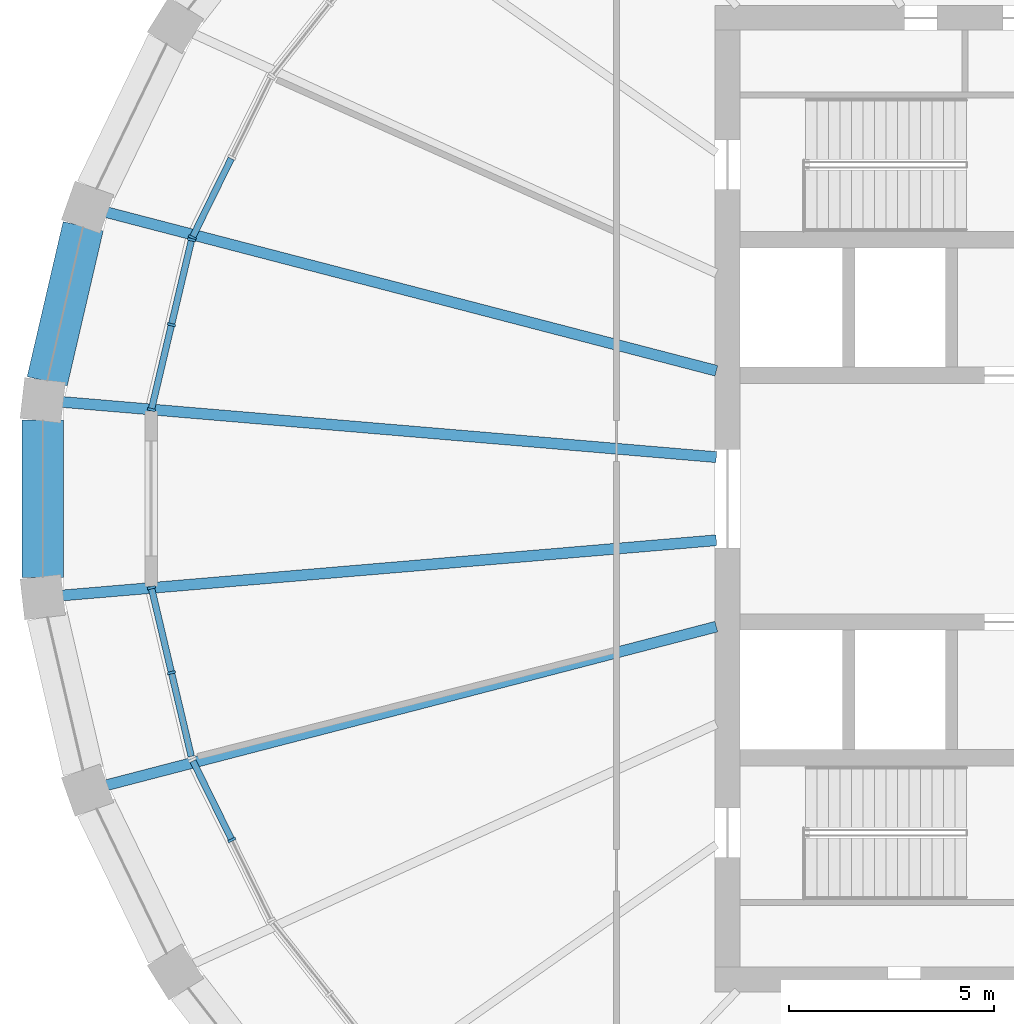
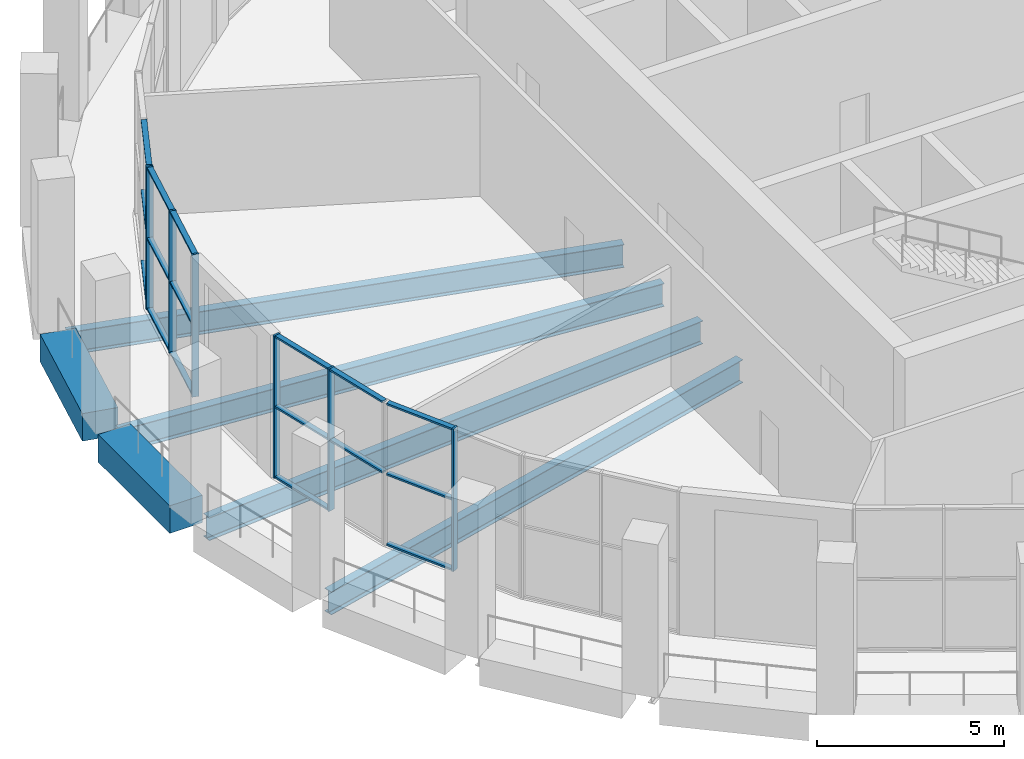
# One storey, part 3 of 15: 24 members, 6 beams, 4 elements without a shape of their own.
"""IFC4 building model written with IfcOpenShell, lengths in metres."""

from ifc_helpers import new_model, si_unit, direction, frame, origin, origin_2d, place, context, subcontext, project, spatial, rectangle, i_section, extrude, material, material_profile, profile_set, type_object, element, aggregate, save


model = new_model("IFC4")

# Units and contexts
model_context = context("Model", 3, precision=1e-05, world=origin(), true_north=direction((0.0, 1.0)))
body_context = subcontext(model_context, "Body", "Model", "MODEL_VIEW")
ifc_project = project(units=[si_unit("LENGTHUNIT", "METRE"), si_unit("AREAUNIT", "SQUARE_METRE"), si_unit("VOLUMEUNIT", "CUBIC_METRE"), si_unit("PLANEANGLEUNIT", "RADIAN"), si_unit("MASSUNIT", "GRAM", prefix="KILO")], contexts=[model_context])

# Site, building, storey
site_placement = place(None, origin())
site = spatial("IfcSite", under=ifc_project, at=site_placement, CompositionType="ELEMENT")
building_placement = place(site_placement, origin())
building = spatial("IfcBuilding", under=site, at=building_placement, Name="Halqa Exchange Tower", CompositionType="ELEMENT")
storey_placement = place(building_placement, frame((0.0, 0.0, 338.300048828125)))
storey = spatial("IfcBuildingStorey", under=building, at=storey_placement, Name="L79", CompositionType="ELEMENT", Elevation=338.300048828125)

# Curtain wall, member
ifc_material_1 = material(Name="Anodised aluminium and clear glass", Category="aluminium")
curtain_wall_type = type_object("IfcCurtainWallType", Name="Executive floor glazing", PredefinedType="NOTDEFINED", material=ifc_material_1)
curtain_wall_1_placement = place(storey_placement, origin())
curtain_wall_1 = element("IfcCurtainWall", 1, at=curtain_wall_1_placement, inside=storey, type_object=curtain_wall_type, Name="Executive floor glazing run G14", PredefinedType="NOTDEFINED")
ifc_material_2 = material(Name="Anodised aluminium", Category="aluminium")
ifc_material_profile_1 = material_profile(ifc_material_2, rectangle(XDim=0.199951171875, YDim=0.06005859375, at=origin_2d()), Name="AL 60x200")
ifc_profile_set_1 = profile_set([ifc_material_profile_1], Name="Anodised aluminium")
member_type_1 = type_object("IfcMemberType", Name="Executive floor glazing mullion 60 x 200", PredefinedType="MULLION", material=ifc_profile_set_1)
member_1_placement = place(storey_placement, frame((-24.72216796875, 6.3564453125, 0.0), z_axis=(0.0, 0.0, 1.0), x_axis=(0.897214741349, -0.441594506199, 0.0)))
member_1 = element("IfcMember", 2, at=member_1_placement, type_object=member_type_1, Name="G14 mullion 3", PredefinedType="MULLION", context=body_context, shape_type="SweptSolid", body=[
    extrude(rectangle(XDim=0.199951171875, YDim=0.06005859375, at=origin_2d()), origin(), (0.0, 0.0, 1.0), 4.64990234375),
])

# Curtain wall, members
curtain_wall_2_placement = place(storey_placement, origin())
curtain_wall_2 = element("IfcCurtainWall", 3, at=curtain_wall_2_placement, inside=storey, type_object=curtain_wall_type, Name="Executive floor glazing run G15", PredefinedType="NOTDEFINED")
member_2_placement = place(storey_placement, frame((-24.742431640625, 6.30029296875, 0.0), z_axis=(0.0, 0.0, 1.0), x_axis=(0.97319169906, -0.229995471437, 0.0)))
member_2 = element("IfcMember", 4, at=member_2_placement, type_object=member_type_1, Name="G15 mullion 1", PredefinedType="MULLION", context=body_context, shape_type="SweptSolid", body=[
    extrude(rectangle(XDim=0.199951171875, YDim=0.06005859375, at=origin_2d()), origin(), (0.0, 0.0, 1.0), 4.64990234375),
])
member_3_placement = place(storey_placement, frame((-25.23095703125, 4.2333984375, 0.0), z_axis=(0.0, 0.0, 1.0), x_axis=(0.97319169906, -0.229995471437, 0.0)))
member_3 = element("IfcMember", 5, at=member_3_placement, type_object=member_type_1, Name="G15 mullion 2", PredefinedType="MULLION", context=body_context, shape_type="SweptSolid", body=[
    extrude(rectangle(XDim=0.199951171875, YDim=0.06005859375, at=origin_2d()), origin(), (0.0, 0.0, 1.0), 4.64990234375),
])
member_4_placement = place(storey_placement, frame((-25.71923828125, 2.166748046875, 0.0), z_axis=(0.0, 0.0, 1.0), x_axis=(0.97319169906, -0.229995471437, 0.0)))
member_4 = element("IfcMember", 6, at=member_4_placement, type_object=member_type_1, Name="G15 mullion 3", PredefinedType="MULLION", context=body_context, shape_type="SweptSolid", body=[
    extrude(rectangle(XDim=0.199951171875, YDim=0.06005859375, at=origin_2d()), origin(), (0.0, 0.0, 1.0), 4.64990234375),
])

curtain_wall_3_placement = place(storey_placement, origin())
curtain_wall_3 = element("IfcCurtainWall", 7, at=curtain_wall_3_placement, inside=storey, type_object=curtain_wall_type, Name="Executive floor glazing run G17", PredefinedType="NOTDEFINED")
member_5_placement = place(storey_placement, frame((-25.71923828125, -2.166748046875, 0.0), z_axis=(0.0, 0.0, 1.0), x_axis=(0.97319169906, 0.229995471437, 0.0)))
member_5 = element("IfcMember", 8, at=member_5_placement, type_object=member_type_1, Name="G17 mullion 1", PredefinedType="MULLION", context=body_context, shape_type="SweptSolid", body=[
    extrude(rectangle(XDim=0.199951171875, YDim=0.06005859375, at=origin_2d()), origin(), (0.0, 0.0, 1.0), 4.64990234375),
])
member_6_placement = place(storey_placement, frame((-25.23095703125, -4.2333984375, 0.0), z_axis=(0.0, 0.0, 1.0), x_axis=(0.97319169906, 0.229995471437, 0.0)))
member_6 = element("IfcMember", 9, at=member_6_placement, type_object=member_type_1, Name="G17 mullion 2", PredefinedType="MULLION", context=body_context, shape_type="SweptSolid", body=[
    extrude(rectangle(XDim=0.199951171875, YDim=0.06005859375, at=origin_2d()), origin(), (0.0, 0.0, 1.0), 4.64990234375),
])

# Curtain wall, member
curtain_wall_4_placement = place(storey_placement, origin())
curtain_wall_4 = element("IfcCurtainWall", 10, at=curtain_wall_4_placement, inside=storey, type_object=curtain_wall_type, Name="Executive floor glazing run G18", PredefinedType="NOTDEFINED")
member_7_placement = place(storey_placement, frame((-23.76416015625, -8.302978515625, 0.0), z_axis=(0.0, 0.0, 1.0), x_axis=(0.897214741349, 0.441594506199, 0.0)))
member_7 = element("IfcMember", 11, at=member_7_placement, type_object=member_type_1, Name="G18 mullion 2", PredefinedType="MULLION", context=body_context, shape_type="SweptSolid", body=[
    extrude(rectangle(XDim=0.199951171875, YDim=0.06005859375, at=origin_2d()), origin(), (0.0, 0.0, 1.0), 4.64990234375),
])

# Member
ifc_material_profile_2 = material_profile(ifc_material_2, rectangle(XDim=0.159912109375, YDim=0.06005859375, at=origin_2d()), Name="AL 60x160")
ifc_profile_set_2 = profile_set([ifc_material_profile_2], Name="Anodised aluminium")
member_type_2 = type_object("IfcMemberType", Name="Executive floor glazing transom 60 x 160", PredefinedType="USERDEFINED", material=ifc_profile_set_2)
member_8_placement = place(storey_placement, frame((-23.77734375, 8.276123046875, 0.030029296875), z_axis=(-0.441603772589, -0.897210180524, 0.0), x_axis=(0.897210180524, -0.441603772589, 0.0)))
member_8 = element("IfcMember", 12, at=member_8_placement, type_object=member_type_2, Name="G14 transom 2.1", ObjectType="TRANSOM", PredefinedType="USERDEFINED", context=body_context, shape_type="SweptSolid", body=[
    extrude(rectangle(XDim=0.159912109375, YDim=0.06005859375, at=origin_2d()), origin(), (0.0, 0.0, 1.0), 2.109619140625),
])

member_9_placement = place(storey_placement, frame((-23.77734375, 8.276123046875, 2.324951171875), z_axis=(-0.441603772589, -0.897210180524, 0.0), x_axis=(0.897210180524, -0.441603772589, 0.0)))
member_9 = element("IfcMember", 13, at=member_9_placement, type_object=member_type_2, Name="G14 transom 2.2", ObjectType="TRANSOM", PredefinedType="USERDEFINED", context=body_context, shape_type="SweptSolid", body=[
    extrude(rectangle(XDim=0.159912109375, YDim=0.06005859375, at=origin_2d()), origin(), (0.0, 0.0, 1.0), 2.109619140625),
])

member_10_placement = place(storey_placement, frame((-23.77734375, 8.276123046875, 4.619873046875), z_axis=(-0.441603772589, -0.897210180524, 0.0), x_axis=(0.897210180524, -0.441603772589, 0.0)))
member_10 = element("IfcMember", 14, at=member_10_placement, type_object=member_type_2, Name="G14 transom 2.3", ObjectType="TRANSOM", PredefinedType="USERDEFINED", context=body_context, shape_type="SweptSolid", body=[
    extrude(rectangle(XDim=0.159912109375, YDim=0.06005859375, at=origin_2d()), origin(), (0.0, 0.0, 1.0), 2.109619140625),
])

aggregate(curtain_wall_1, [member_1, member_8, member_9, member_10])

member_11_placement = place(storey_placement, frame((-24.749267578125, 6.27099609375, 0.030029296875), z_axis=(-0.229988783785, -0.973193279535, 0.0), x_axis=(0.973193279535, -0.229988783785, 0.0)))
member_11 = element("IfcMember", 15, at=member_11_placement, type_object=member_type_2, Name="G15 transom 1.1", ObjectType="TRANSOM", PredefinedType="USERDEFINED", context=body_context, shape_type="SweptSolid", body=[
    extrude(rectangle(XDim=0.159912109375, YDim=0.06005859375, at=origin_2d()), origin(), (0.0, 0.0, 1.0), 2.063720703125),
])

member_12_placement = place(storey_placement, frame((-24.749267578125, 6.27099609375, 2.324951171875), z_axis=(-0.229988783785, -0.973193279535, 0.0), x_axis=(0.973193279535, -0.229988783785, 0.0)))
member_12 = element("IfcMember", 16, at=member_12_placement, type_object=member_type_2, Name="G15 transom 1.2", ObjectType="TRANSOM", PredefinedType="USERDEFINED", context=body_context, shape_type="SweptSolid", body=[
    extrude(rectangle(XDim=0.159912109375, YDim=0.06005859375, at=origin_2d()), origin(), (0.0, 0.0, 1.0), 2.063720703125),
])

member_13_placement = place(storey_placement, frame((-24.749267578125, 6.27099609375, 4.619873046875), z_axis=(-0.229988783785, -0.973193279535, 0.0), x_axis=(0.973193279535, -0.229988783785, 0.0)))
member_13 = element("IfcMember", 17, at=member_13_placement, type_object=member_type_2, Name="G15 transom 1.3", ObjectType="TRANSOM", PredefinedType="USERDEFINED", context=body_context, shape_type="SweptSolid", body=[
    extrude(rectangle(XDim=0.159912109375, YDim=0.06005859375, at=origin_2d()), origin(), (0.0, 0.0, 1.0), 2.063720703125),
])

member_14_placement = place(storey_placement, frame((-25.23779296875, 4.204345703125, 0.030029296875), z_axis=(-0.22996230686, -0.973199536284, 0.0), x_axis=(0.973199536284, -0.22996230686, 0.0)))
member_14 = element("IfcMember", 18, at=member_14_placement, type_object=member_type_2, Name="G15 transom 2.1", ObjectType="TRANSOM", PredefinedType="USERDEFINED", context=body_context, shape_type="SweptSolid", body=[
    extrude(rectangle(XDim=0.159912109375, YDim=0.06005859375, at=origin_2d()), origin(), (0.0, 0.0, 1.0), 2.06396484375),
])

member_15_placement = place(storey_placement, frame((-25.23779296875, 4.204345703125, 2.324951171875), z_axis=(-0.22996230686, -0.973199536284, 0.0), x_axis=(0.973199536284, -0.22996230686, 0.0)))
member_15 = element("IfcMember", 19, at=member_15_placement, type_object=member_type_2, Name="G15 transom 2.2", ObjectType="TRANSOM", PredefinedType="USERDEFINED", context=body_context, shape_type="SweptSolid", body=[
    extrude(rectangle(XDim=0.159912109375, YDim=0.06005859375, at=origin_2d()), origin(), (0.0, 0.0, 1.0), 2.06396484375),
])

member_16_placement = place(storey_placement, frame((-25.23779296875, 4.204345703125, 4.619873046875), z_axis=(-0.22996230686, -0.973199536284, 0.0), x_axis=(0.973199536284, -0.22996230686, 0.0)))
member_16 = element("IfcMember", 20, at=member_16_placement, type_object=member_type_2, Name="G15 transom 2.3", ObjectType="TRANSOM", PredefinedType="USERDEFINED", context=body_context, shape_type="SweptSolid", body=[
    extrude(rectangle(XDim=0.159912109375, YDim=0.06005859375, at=origin_2d()), origin(), (0.0, 0.0, 1.0), 2.06396484375),
])

aggregate(curtain_wall_2, [member_2, member_3, member_4, member_11, member_12, member_13, member_14, member_15, member_16])

member_17_placement = place(storey_placement, frame((-25.71240234375, -2.19580078125, 0.030029296875), z_axis=(0.22996230686, -0.973199536284, 0.0), x_axis=(0.973199536284, 0.22996230686, 0.0)))
member_17 = element("IfcMember", 21, at=member_17_placement, type_object=member_type_2, Name="G17 transom 1.1", ObjectType="TRANSOM", PredefinedType="USERDEFINED", context=body_context, shape_type="SweptSolid", body=[
    extrude(rectangle(XDim=0.159912109375, YDim=0.06005859375, at=origin_2d()), origin(), (0.0, 0.0, 1.0), 2.06396484375),
])

member_18_placement = place(storey_placement, frame((-25.71240234375, -2.19580078125, 2.324951171875), z_axis=(0.22996230686, -0.973199536284, 0.0), x_axis=(0.973199536284, 0.22996230686, 0.0)))
member_18 = element("IfcMember", 22, at=member_18_placement, type_object=member_type_2, Name="G17 transom 1.2", ObjectType="TRANSOM", PredefinedType="USERDEFINED", context=body_context, shape_type="SweptSolid", body=[
    extrude(rectangle(XDim=0.159912109375, YDim=0.06005859375, at=origin_2d()), origin(), (0.0, 0.0, 1.0), 2.06396484375),
])

member_19_placement = place(storey_placement, frame((-25.71240234375, -2.19580078125, 4.619873046875), z_axis=(0.22996230686, -0.973199536284, 0.0), x_axis=(0.973199536284, 0.22996230686, 0.0)))
member_19 = element("IfcMember", 23, at=member_19_placement, type_object=member_type_2, Name="G17 transom 1.3", ObjectType="TRANSOM", PredefinedType="USERDEFINED", context=body_context, shape_type="SweptSolid", body=[
    extrude(rectangle(XDim=0.159912109375, YDim=0.06005859375, at=origin_2d()), origin(), (0.0, 0.0, 1.0), 2.06396484375),
])

member_20_placement = place(storey_placement, frame((-25.223876953125, -4.2626953125, 2.324951171875), z_axis=(0.229988783785, -0.973193279535, 0.0), x_axis=(0.973193279535, 0.229988783785, 0.0)))
member_20 = element("IfcMember", 24, at=member_20_placement, type_object=member_type_2, Name="G17 transom 2.2", ObjectType="TRANSOM", PredefinedType="USERDEFINED", context=body_context, shape_type="SweptSolid", body=[
    extrude(rectangle(XDim=0.159912109375, YDim=0.06005859375, at=origin_2d()), origin(), (0.0, 0.0, 1.0), 2.063720703125),
])

member_21_placement = place(storey_placement, frame((-25.223876953125, -4.2626953125, 4.619873046875), z_axis=(0.229988783785, -0.973193279535, 0.0), x_axis=(0.973193279535, 0.229988783785, 0.0)))
member_21 = element("IfcMember", 25, at=member_21_placement, type_object=member_type_2, Name="G17 transom 2.3", ObjectType="TRANSOM", PredefinedType="USERDEFINED", context=body_context, shape_type="SweptSolid", body=[
    extrude(rectangle(XDim=0.159912109375, YDim=0.06005859375, at=origin_2d()), origin(), (0.0, 0.0, 1.0), 2.063720703125),
])

aggregate(curtain_wall_3, [member_5, member_6, member_17, member_18, member_19, member_20, member_21])

member_22_placement = place(storey_placement, frame((-24.708984375, -6.38330078125, 0.030029296875), z_axis=(0.441603772589, -0.897210180524, 0.0), x_axis=(0.897210180524, 0.441603772589, 0.0)))
member_22 = element("IfcMember", 26, at=member_22_placement, type_object=member_type_2, Name="G18 transom 1.1", ObjectType="TRANSOM", PredefinedType="USERDEFINED", context=body_context, shape_type="SweptSolid", body=[
    extrude(rectangle(XDim=0.159912109375, YDim=0.06005859375, at=origin_2d()), origin(), (0.0, 0.0, 1.0), 2.109619140625),
])

member_23_placement = place(storey_placement, frame((-24.708984375, -6.38330078125, 2.324951171875), z_axis=(0.441603772589, -0.897210180524, 0.0), x_axis=(0.897210180524, 0.441603772589, 0.0)))
member_23 = element("IfcMember", 27, at=member_23_placement, type_object=member_type_2, Name="G18 transom 1.2", ObjectType="TRANSOM", PredefinedType="USERDEFINED", context=body_context, shape_type="SweptSolid", body=[
    extrude(rectangle(XDim=0.159912109375, YDim=0.06005859375, at=origin_2d()), origin(), (0.0, 0.0, 1.0), 2.109619140625),
])

member_24_placement = place(storey_placement, frame((-24.708984375, -6.38330078125, 4.619873046875), z_axis=(0.441603772589, -0.897210180524, 0.0), x_axis=(0.897210180524, 0.441603772589, 0.0)))
member_24 = element("IfcMember", 28, at=member_24_placement, type_object=member_type_2, Name="G18 transom 1.3", ObjectType="TRANSOM", PredefinedType="USERDEFINED", context=body_context, shape_type="SweptSolid", body=[
    extrude(rectangle(XDim=0.159912109375, YDim=0.06005859375, at=origin_2d()), origin(), (0.0, 0.0, 1.0), 2.109619140625),
])

aggregate(curtain_wall_4, [member_7, member_22, member_23, member_24])

# Beams
ifc_material_3 = material(Name="Steel S355", Category="steel")
ifc_material_profile_3 = material_profile(ifc_material_3, i_section(OverallWidth=0.264892578125, OverallDepth=0.7529296875, WebThickness=0.01318359375, FlangeThickness=0.01708984375, FilletRadius=0.01708984375, at=origin_2d()), Name="IPE 750x147")
ifc_profile_set_3 = profile_set([ifc_material_profile_3], Name="Steel S355")
beam_type_1 = type_object("IfcBeamType", Name="Floor beam IPE 750x147", PredefinedType="BEAM", material=ifc_profile_set_3)
beam_1_placement = place(storey_placement, frame((-11.97265625, 3.113037109375, -0.7265625), z_axis=(-0.967821042963, 0.251639481794, 0.0), x_axis=(-0.251639481794, -0.967821042963, 0.0)))
element("IfcBeam", 29, at=beam_1_placement, inside=storey, type_object=beam_type_1, Name="Radial beam 15", PredefinedType="BEAM", context=body_context, shape_type="SweptSolid", body=[
    extrude(i_section(OverallWidth=0.264892578125, OverallDepth=0.7529296875, WebThickness=0.01318359375, FlangeThickness=0.01708984375, FilletRadius=0.01708984375, at=origin_2d()), origin(), (0.0, 0.0, 1.0), 15.434814453125),
])
for number, where, z_axis, x_axis, name in (
    (30, (-11.972900390625, 1.0107421875, -0.7265625), (-0.996455843657, 0.08411748713, 0.0), (-0.08411748713, -0.996455843657, 0.0), "Radial beam 16"),
    (31, (-11.972900390625, -1.0107421875, -0.7265625), (-0.996455843657, -0.08411748713, 0.0), (0.08411748713, -0.996455843657, 0.0), "Radial beam 17"),
):
    element("IfcBeam", number, at=place(storey_placement, frame(where, z_axis=z_axis, x_axis=x_axis)), inside=storey, type_object=beam_type_1, Name=name, PredefinedType="BEAM", context=body_context, shape_type="SweptSolid", body=[
        extrude(i_section(OverallWidth=0.264892578125, OverallDepth=0.7529296875, WebThickness=0.01318359375, FlangeThickness=0.01708984375, FilletRadius=0.01708984375, at=origin_2d()), origin(), (0.0, 0.0, 1.0), 16.076171875),
    ])
beam_2_placement = place(storey_placement, frame((-11.97265625, -3.113037109375, -0.7265625), z_axis=(-0.967821042963, -0.251639481794, 0.0), x_axis=(0.251639481794, -0.967821042963, 0.0)))
element("IfcBeam", 32, at=beam_2_placement, inside=storey, type_object=beam_type_1, Name="Radial beam 18", PredefinedType="BEAM", context=body_context, shape_type="SweptSolid", body=[
    extrude(i_section(OverallWidth=0.264892578125, OverallDepth=0.7529296875, WebThickness=0.01318359375, FlangeThickness=0.01708984375, FilletRadius=0.01708984375, at=origin_2d()), origin(), (0.0, 0.0, 1.0), 15.434814453125),
])
ifc_material_4 = material(Name="Concrete C60/75", Category="concrete")
ifc_material_profile_4 = material_profile(ifc_material_4, rectangle(XDim=1.0, YDim=0.89990234375, at=origin_2d()), Name="1000 x 900")
ifc_profile_set_4 = profile_set([ifc_material_profile_4], Name="Concrete C60/75")
beam_type_2 = type_object("IfcBeamType", Name="RC spandrel beam 1000 x 900 C60/75", PredefinedType="SPANDREL", material=ifc_profile_set_4)
beam_3_placement = place(storey_placement, frame((-27.3798828125, 6.629150390625, -0.449951171875), z_axis=(-0.226093384766, -0.974105631523, 0.0), x_axis=(0.974105631523, -0.226093384766, 0.0)))
element("IfcBeam", 33, at=beam_3_placement, inside=storey, type_object=beam_type_2, Name="Spandrel 15", PredefinedType="SPANDREL", context=body_context, shape_type="SweptSolid", body=[
    extrude(rectangle(XDim=1.0, YDim=0.89990234375, at=origin_2d()), origin(), (0.0, 0.0, 1.0), 3.872314453125),
])
beam_4_placement = place(storey_placement, frame((-28.36279296875, 1.919189453125, -0.449951171875), z_axis=(0.0, -1.0, 0.0), x_axis=(1.0, 0.0, 0.0)))
element("IfcBeam", 34, at=beam_4_placement, inside=storey, type_object=beam_type_2, Name="Spandrel 16", PredefinedType="SPANDREL", context=body_context, shape_type="SweptSolid", body=[
    extrude(rectangle(XDim=1.0, YDim=0.89990234375, at=origin_2d()), origin(), (0.0, 0.0, 1.0), 3.83837890625),
])

save(model, "model.ifc")
